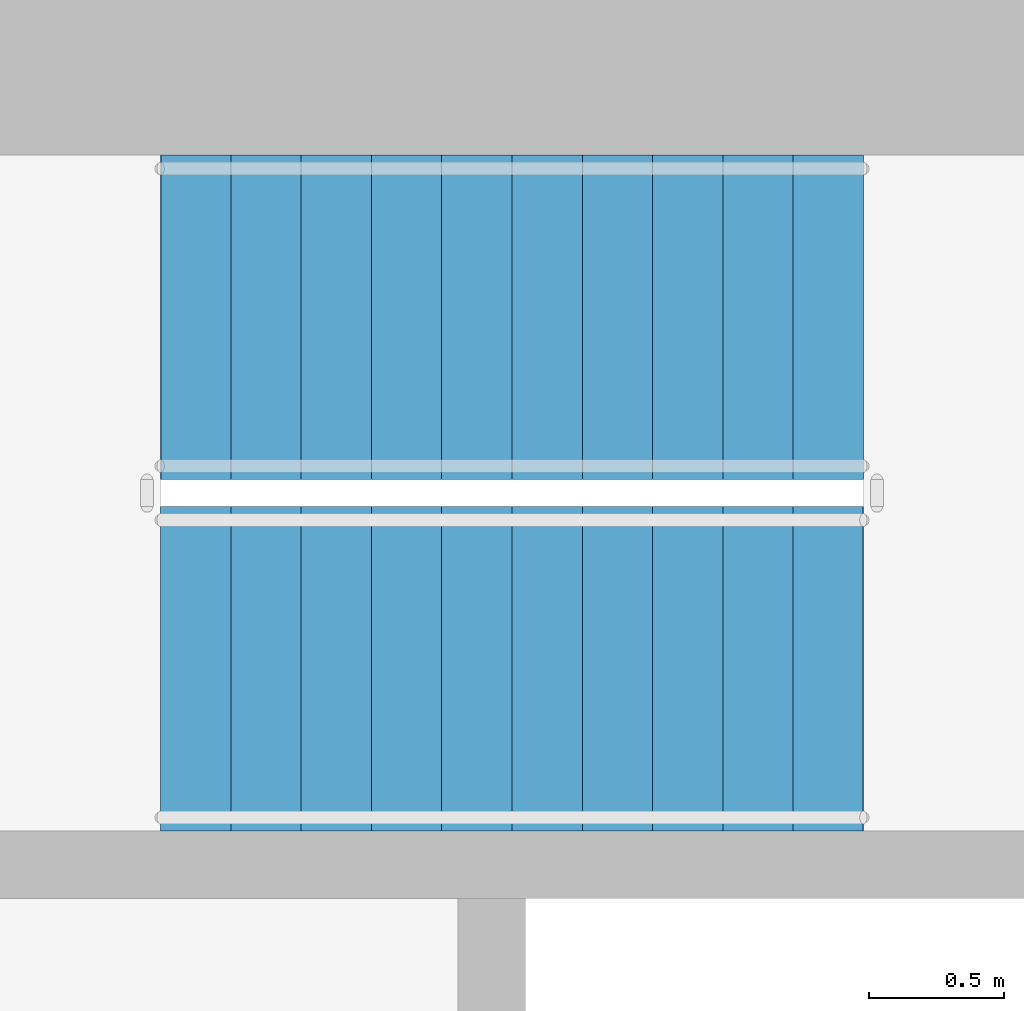
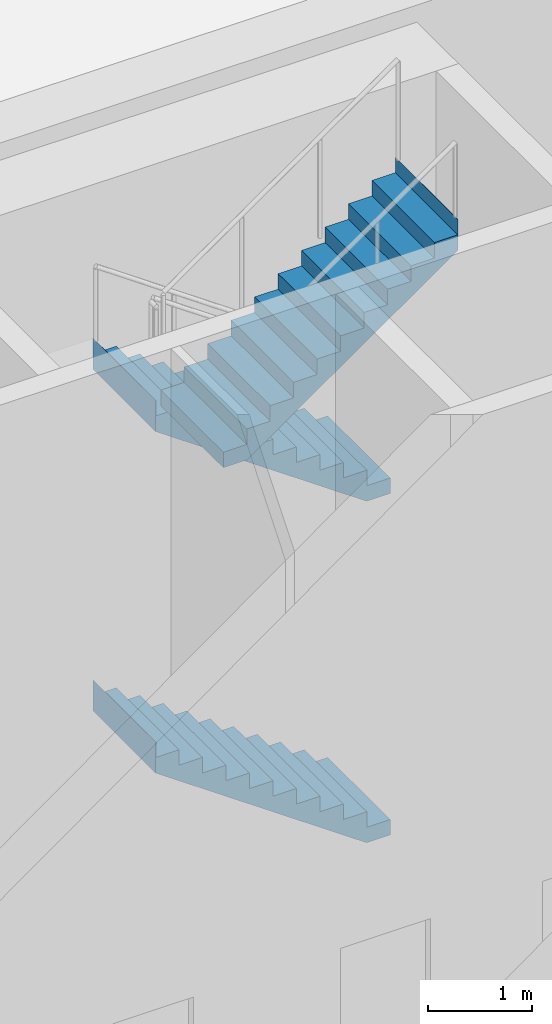
# One storey, part 28 of 36: 3 stair flights, 1 element without a shape of its own.
"""IFC4 building model written with IfcOpenShell, lengths in metres."""

from ifc_helpers import new_model, si_unit, direction, frame, origin, place, context, subcontext, project, spatial, triangles, material, type_object, element, aggregate, save


model = new_model("IFC4")

# Units and contexts
model_context = context("Model", 3, precision=1e-05, world=origin(), true_north=direction((0.0, 1.0)))
body_context = subcontext(model_context, "Body", "Model", "MODEL_VIEW")
ifc_project = project(units=[si_unit("LENGTHUNIT", "METRE"), si_unit("AREAUNIT", "SQUARE_METRE"), si_unit("VOLUMEUNIT", "CUBIC_METRE"), si_unit("PLANEANGLEUNIT", "RADIAN"), si_unit("MASSUNIT", "GRAM", prefix="KILO")], contexts=[model_context])

# Site, building, storey
site_placement = place(None, origin())
site = spatial("IfcSite", under=ifc_project, at=site_placement, CompositionType="ELEMENT")
building_placement = place(site_placement, origin())
building = spatial("IfcBuilding", under=site, at=building_placement, Name="Sahrelin Media Tower", CompositionType="ELEMENT")
storey_placement = place(building_placement, origin())
storey = spatial("IfcBuildingStorey", under=building, at=storey_placement, Name="L00", CompositionType="ELEMENT", Elevation=0.0)

# Stair, stair flights
ifc_material = material(Name="Concrete C40/50", Category="concrete")
stair_type = type_object("IfcStairType", Name="Exit stair 1200", PredefinedType="HALF_TURN_STAIR", material=ifc_material)
stair_placement = place(storey_placement, origin())
stair = element("IfcStair", 1, at=stair_placement, inside=storey, type_object=stair_type, Name="L00 Exit stair ST3", PredefinedType="HALF_TURN_STAIR")
stair_flight_type = type_object("IfcStairFlightType", Name="Stair flight 1200", PredefinedType="STRAIGHT", material=ifc_material)
stair_flight_1_placement = place(storey_placement, frame((7.675048828125, 6.0, 0.0), z_axis=(0.0, 0.0, 1.0), x_axis=(-1.0, 0.0, 0.0)))
stair_flight_1 = element("IfcStairFlight", 2, at=stair_flight_1_placement, type_object=stair_flight_type, Name="ST3 flight 1", NumberOfRisers=11, NumberOfTreads=10, PredefinedType="STRAIGHT", RiserHeight=0.181818182, TreadLength=0.26, context=body_context, shape_type="Tessellation", body=[
    triangles([(0.261474609375, 0.60009765625, 0.0), (0.261474609375, 0.300048828125, 0.0), (0.261474609375, 0.0, 0.0), (0.261474609375, -0.300048828125, 0.0), (0.261474609375, -0.60009765625, 0.0), (2.60009765625, 0.60009765625, 1.63525390625), (2.60009765625, 0.300048828125, 1.63525390625), (2.60009765625, 0.0, 1.63525390625), (2.60009765625, -0.300048828125, 1.63525390625), (2.60009765625, -0.60009765625, 1.63525390625), (2.60009765625, 0.60009765625, 2.0), (2.60009765625, 0.300048828125, 2.0), (2.60009765625, 0.0, 2.0), (2.60009765625, -0.300048828125, 2.0), (2.60009765625, -0.60009765625, 2.0), (2.597900390625, 0.60009765625, 2.0), (2.597900390625, 0.300048828125, 2.0), (2.597900390625, 0.0, 2.0), (2.597900390625, -0.300048828125, 2.0), (2.597900390625, -0.60009765625, 2.0), (2.597900390625, 0.60009765625, 1.818115234375), (2.597900390625, 0.300048828125, 1.818115234375), (2.597900390625, 0.0, 1.818115234375), (2.597900390625, -0.300048828125, 1.818115234375), (2.597900390625, -0.60009765625, 1.818115234375), (2.340087890625, 0.60009765625, 1.818115234375), (2.340087890625, 0.300048828125, 1.818115234375), (2.340087890625, 0.0, 1.818115234375), (2.340087890625, -0.300048828125, 1.818115234375), (2.340087890625, -0.60009765625, 1.818115234375), (2.340087890625, 0.60009765625, 1.636474609375), (2.340087890625, 0.300048828125, 1.636474609375), (2.340087890625, 0.0, 1.636474609375), (2.340087890625, -0.300048828125, 1.636474609375), (2.340087890625, -0.60009765625, 1.636474609375), (2.080078125, 0.60009765625, 1.636474609375), (2.080078125, 0.300048828125, 1.636474609375), (2.080078125, 0.0, 1.636474609375), (2.080078125, -0.300048828125, 1.636474609375), (2.080078125, -0.60009765625, 1.636474609375), (2.080078125, 0.60009765625, 1.45458984375), (2.080078125, 0.300048828125, 1.45458984375), (2.080078125, 0.0, 1.45458984375), (2.080078125, -0.300048828125, 1.45458984375), (2.080078125, -0.60009765625, 1.45458984375), (1.820068359375, 0.60009765625, 1.45458984375), (1.820068359375, 0.300048828125, 1.45458984375), (1.820068359375, 0.0, 1.45458984375), (1.820068359375, -0.300048828125, 1.45458984375), (1.820068359375, -0.60009765625, 1.45458984375), (1.820068359375, 0.60009765625, 1.272705078125), (1.820068359375, 0.300048828125, 1.272705078125), (1.820068359375, 0.0, 1.272705078125), (1.820068359375, -0.300048828125, 1.272705078125), (1.820068359375, -0.60009765625, 1.272705078125), (1.56005859375, 0.60009765625, 1.272705078125), (1.56005859375, 0.300048828125, 1.272705078125), (1.56005859375, 0.0, 1.272705078125), (1.56005859375, -0.300048828125, 1.272705078125), (1.56005859375, -0.60009765625, 1.272705078125), (1.56005859375, 0.60009765625, 1.0908203125), (1.56005859375, 0.300048828125, 1.0908203125), (1.56005859375, 0.0, 1.0908203125), (1.56005859375, -0.300048828125, 1.0908203125), (1.56005859375, -0.60009765625, 1.0908203125), (1.300048828125, 0.60009765625, 1.0908203125), (1.300048828125, 0.300048828125, 1.0908203125), (1.300048828125, 0.0, 1.0908203125), (1.300048828125, -0.300048828125, 1.0908203125), (1.300048828125, -0.60009765625, 1.0908203125), (1.300048828125, 0.60009765625, 0.9091796875), (1.300048828125, 0.300048828125, 0.9091796875), (1.300048828125, 0.0, 0.9091796875), (1.300048828125, -0.300048828125, 0.9091796875), (1.300048828125, -0.60009765625, 0.9091796875), (1.0400390625, 0.60009765625, 0.9091796875), (1.0400390625, 0.300048828125, 0.9091796875), (1.0400390625, 0.0, 0.9091796875), (1.0400390625, -0.300048828125, 0.9091796875), (1.0400390625, -0.60009765625, 0.9091796875), (1.0400390625, 0.60009765625, 0.727294921875), (1.0400390625, 0.300048828125, 0.727294921875), (1.0400390625, 0.0, 0.727294921875), (1.0400390625, -0.300048828125, 0.727294921875), (1.0400390625, -0.60009765625, 0.727294921875), (0.780029296875, 0.60009765625, 0.727294921875), (0.780029296875, 0.300048828125, 0.727294921875), (0.780029296875, 0.0, 0.727294921875), (0.780029296875, -0.300048828125, 0.727294921875), (0.780029296875, -0.60009765625, 0.727294921875), (0.780029296875, 0.60009765625, 0.54541015625), (0.780029296875, 0.300048828125, 0.54541015625), (0.780029296875, 0.0, 0.54541015625), (0.780029296875, -0.300048828125, 0.54541015625), (0.780029296875, -0.60009765625, 0.54541015625), (0.52001953125, 0.60009765625, 0.54541015625), (0.52001953125, 0.300048828125, 0.54541015625), (0.52001953125, 0.0, 0.54541015625), (0.52001953125, -0.300048828125, 0.54541015625), (0.52001953125, -0.60009765625, 0.54541015625), (0.52001953125, 0.60009765625, 0.363525390625), (0.52001953125, 0.300048828125, 0.363525390625), (0.52001953125, 0.0, 0.363525390625), (0.52001953125, -0.300048828125, 0.363525390625), (0.52001953125, -0.60009765625, 0.363525390625), (0.260009765625, 0.60009765625, 0.363525390625), (0.260009765625, 0.300048828125, 0.363525390625), (0.260009765625, 0.0, 0.363525390625), (0.260009765625, -0.300048828125, 0.363525390625), (0.260009765625, -0.60009765625, 0.363525390625), (0.260009765625, 0.60009765625, 0.181884765625), (0.260009765625, 0.300048828125, 0.181884765625), (0.260009765625, 0.0, 0.181884765625), (0.260009765625, -0.300048828125, 0.181884765625), (0.260009765625, -0.60009765625, 0.181884765625), (0.0, 0.60009765625, 0.181884765625), (0.0, 0.300048828125, 0.181884765625), (0.0, 0.0, 0.181884765625), (0.0, -0.300048828125, 0.181884765625), (0.0, -0.60009765625, 0.181884765625), (0.0, 0.60009765625, 0.0), (0.0, 0.300048828125, 0.0), (0.0, 0.0, 0.0), (0.0, -0.300048828125, 0.0), (0.0, -0.60009765625, 0.0)], [[1, 6, 7], [1, 7, 2], [2, 7, 8], [2, 8, 3], [3, 8, 9], [3, 9, 4], [4, 9, 10], [4, 10, 5], [6, 11, 12], [6, 12, 7], [7, 12, 13], [7, 13, 8], [8, 13, 14], [8, 14, 9], [9, 14, 15], [9, 15, 10], [11, 16, 17], [11, 17, 12], [12, 17, 18], [12, 18, 13], [13, 18, 19], [13, 19, 14], [14, 19, 20], [14, 20, 15], [16, 21, 22], [16, 22, 17], [17, 22, 23], [17, 23, 18], [18, 23, 24], [18, 24, 19], [19, 24, 25], [19, 25, 20], [21, 26, 27], [21, 27, 22], [22, 27, 28], [22, 28, 23], [23, 28, 29], [23, 29, 24], [24, 29, 30], [24, 30, 25], [26, 31, 32], [26, 32, 27], [27, 32, 33], [27, 33, 28], [28, 33, 34], [28, 34, 29], [29, 34, 35], [29, 35, 30], [31, 36, 37], [31, 37, 32], [32, 37, 38], [32, 38, 33], [33, 38, 39], [33, 39, 34], [34, 39, 40], [34, 40, 35], [36, 41, 42], [36, 42, 37], [37, 42, 43], [37, 43, 38], [38, 43, 44], [38, 44, 39], [39, 44, 45], [39, 45, 40], [41, 46, 47], [41, 47, 42], [42, 47, 48], [42, 48, 43], [43, 48, 49], [43, 49, 44], [44, 49, 50], [44, 50, 45], [46, 51, 52], [46, 52, 47], [47, 52, 53], [47, 53, 48], [48, 53, 54], [48, 54, 49], [49, 54, 55], [49, 55, 50], [51, 56, 57], [51, 57, 52], [52, 57, 58], [52, 58, 53], [53, 58, 59], [53, 59, 54], [54, 59, 60], [54, 60, 55], [56, 61, 62], [56, 62, 57], [57, 62, 63], [57, 63, 58], [58, 63, 64], [58, 64, 59], [59, 64, 65], [59, 65, 60], [61, 66, 67], [61, 67, 62], [62, 67, 68], [62, 68, 63], [63, 68, 69], [63, 69, 64], [64, 69, 70], [64, 70, 65], [66, 71, 72], [66, 72, 67], [67, 72, 73], [67, 73, 68], [68, 73, 74], [68, 74, 69], [69, 74, 75], [69, 75, 70], [71, 76, 77], [71, 77, 72], [72, 77, 78], [72, 78, 73], [73, 78, 79], [73, 79, 74], [74, 79, 80], [74, 80, 75], [76, 81, 82], [76, 82, 77], [77, 82, 83], [77, 83, 78], [78, 83, 84], [78, 84, 79], [79, 84, 85], [79, 85, 80], [81, 86, 87], [81, 87, 82], [82, 87, 88], [82, 88, 83], [83, 88, 89], [83, 89, 84], [84, 89, 90], [84, 90, 85], [86, 91, 92], [86, 92, 87], [87, 92, 93], [87, 93, 88], [88, 93, 94], [88, 94, 89], [89, 94, 95], [89, 95, 90], [91, 96, 97], [91, 97, 92], [92, 97, 98], [92, 98, 93], [93, 98, 99], [93, 99, 94], [94, 99, 100], [94, 100, 95], [96, 101, 102], [96, 102, 97], [97, 102, 103], [97, 103, 98], [98, 103, 104], [98, 104, 99], [99, 104, 105], [99, 105, 100], [101, 106, 107], [101, 107, 102], [102, 107, 108], [102, 108, 103], [103, 108, 109], [103, 109, 104], [104, 109, 110], [104, 110, 105], [106, 111, 112], [106, 112, 107], [107, 112, 113], [107, 113, 108], [108, 113, 114], [108, 114, 109], [109, 114, 115], [109, 115, 110], [111, 116, 117], [111, 117, 112], [112, 117, 118], [112, 118, 113], [113, 118, 119], [113, 119, 114], [114, 119, 120], [114, 120, 115], [116, 121, 122], [116, 122, 117], [117, 122, 123], [117, 123, 118], [118, 123, 124], [118, 124, 119], [119, 124, 125], [119, 125, 120], [121, 1, 2], [121, 2, 122], [122, 2, 3], [122, 3, 123], [123, 3, 4], [123, 4, 124], [124, 4, 5], [124, 5, 125], [115, 120, 125], [111, 121, 116], [115, 105, 110], [111, 106, 101], [105, 95, 100], [101, 96, 91], [95, 85, 90], [91, 86, 81], [85, 75, 80], [81, 76, 71], [75, 65, 70], [71, 66, 61], [65, 55, 60], [61, 56, 51], [55, 45, 50], [51, 46, 41], [45, 35, 40], [41, 36, 31], [35, 25, 30], [31, 26, 21], [25, 15, 20], [21, 16, 11], [125, 5, 115], [121, 111, 1], [25, 10, 15], [21, 11, 6], [105, 115, 5], [101, 1, 111], [35, 10, 25], [31, 21, 6], [95, 105, 5], [91, 1, 101], [45, 10, 35], [41, 31, 6], [85, 95, 5], [81, 1, 91], [55, 10, 45], [51, 41, 6], [75, 85, 5], [71, 1, 81], [65, 10, 55], [61, 51, 6], [5, 10, 75], [1, 71, 6], [75, 10, 65], [71, 61, 6]], closed=True),
])
stair_flight_2_placement = place(storey_placement, frame((7.675048828125, 6.0, 4.0), z_axis=(0.0, 0.0, 1.0), x_axis=(-1.0, 0.0, 0.0)))
stair_flight_2 = element("IfcStairFlight", 3, at=stair_flight_2_placement, type_object=stair_flight_type, Name="ST3 flight 3", NumberOfRisers=11, NumberOfTreads=10, PredefinedType="STRAIGHT", RiserHeight=0.181818182, TreadLength=0.26, context=body_context, shape_type="Tessellation", body=[
    triangles([(0.261474609375, 0.60009765625, 0.0), (0.261474609375, 0.300048828125, 0.0), (0.261474609375, 0.0, 0.0), (0.261474609375, -0.300048828125, 0.0), (0.261474609375, -0.60009765625, 0.0), (2.60009765625, 0.60009765625, 1.63525390625), (2.60009765625, 0.300048828125, 1.63525390625), (2.60009765625, 0.0, 1.63525390625), (2.60009765625, -0.300048828125, 1.63525390625), (2.60009765625, -0.60009765625, 1.63525390625), (2.60009765625, 0.60009765625, 2.0), (2.60009765625, 0.300048828125, 2.0), (2.60009765625, 0.0, 2.0), (2.60009765625, -0.300048828125, 2.0), (2.60009765625, -0.60009765625, 2.0), (2.597900390625, 0.60009765625, 2.0), (2.597900390625, 0.300048828125, 2.0), (2.597900390625, 0.0, 2.0), (2.597900390625, -0.300048828125, 2.0), (2.597900390625, -0.60009765625, 2.0), (2.597900390625, 0.60009765625, 1.818115234375), (2.597900390625, 0.300048828125, 1.818115234375), (2.597900390625, 0.0, 1.818115234375), (2.597900390625, -0.300048828125, 1.818115234375), (2.597900390625, -0.60009765625, 1.818115234375), (2.340087890625, 0.60009765625, 1.818115234375), (2.340087890625, 0.300048828125, 1.818115234375), (2.340087890625, 0.0, 1.818115234375), (2.340087890625, -0.300048828125, 1.818115234375), (2.340087890625, -0.60009765625, 1.818115234375), (2.340087890625, 0.60009765625, 1.636474609375), (2.340087890625, 0.300048828125, 1.636474609375), (2.340087890625, 0.0, 1.636474609375), (2.340087890625, -0.300048828125, 1.636474609375), (2.340087890625, -0.60009765625, 1.636474609375), (2.080078125, 0.60009765625, 1.636474609375), (2.080078125, 0.300048828125, 1.636474609375), (2.080078125, 0.0, 1.636474609375), (2.080078125, -0.300048828125, 1.636474609375), (2.080078125, -0.60009765625, 1.636474609375), (2.080078125, 0.60009765625, 1.45458984375), (2.080078125, 0.300048828125, 1.45458984375), (2.080078125, 0.0, 1.45458984375), (2.080078125, -0.300048828125, 1.45458984375), (2.080078125, -0.60009765625, 1.45458984375), (1.820068359375, 0.60009765625, 1.45458984375), (1.820068359375, 0.300048828125, 1.45458984375), (1.820068359375, 0.0, 1.45458984375), (1.820068359375, -0.300048828125, 1.45458984375), (1.820068359375, -0.60009765625, 1.45458984375), (1.820068359375, 0.60009765625, 1.272705078125), (1.820068359375, 0.300048828125, 1.272705078125), (1.820068359375, 0.0, 1.272705078125), (1.820068359375, -0.300048828125, 1.272705078125), (1.820068359375, -0.60009765625, 1.272705078125), (1.56005859375, 0.60009765625, 1.272705078125), (1.56005859375, 0.300048828125, 1.272705078125), (1.56005859375, 0.0, 1.272705078125), (1.56005859375, -0.300048828125, 1.272705078125), (1.56005859375, -0.60009765625, 1.272705078125), (1.56005859375, 0.60009765625, 1.0908203125), (1.56005859375, 0.300048828125, 1.0908203125), (1.56005859375, 0.0, 1.0908203125), (1.56005859375, -0.300048828125, 1.0908203125), (1.56005859375, -0.60009765625, 1.0908203125), (1.300048828125, 0.60009765625, 1.0908203125), (1.300048828125, 0.300048828125, 1.0908203125), (1.300048828125, 0.0, 1.0908203125), (1.300048828125, -0.300048828125, 1.0908203125), (1.300048828125, -0.60009765625, 1.0908203125), (1.300048828125, 0.60009765625, 0.9091796875), (1.300048828125, 0.300048828125, 0.9091796875), (1.300048828125, 0.0, 0.9091796875), (1.300048828125, -0.300048828125, 0.9091796875), (1.300048828125, -0.60009765625, 0.9091796875), (1.0400390625, 0.60009765625, 0.9091796875), (1.0400390625, 0.300048828125, 0.9091796875), (1.0400390625, 0.0, 0.9091796875), (1.0400390625, -0.300048828125, 0.9091796875), (1.0400390625, -0.60009765625, 0.9091796875), (1.0400390625, 0.60009765625, 0.727294921875), (1.0400390625, 0.300048828125, 0.727294921875), (1.0400390625, 0.0, 0.727294921875), (1.0400390625, -0.300048828125, 0.727294921875), (1.0400390625, -0.60009765625, 0.727294921875), (0.780029296875, 0.60009765625, 0.727294921875), (0.780029296875, 0.300048828125, 0.727294921875), (0.780029296875, 0.0, 0.727294921875), (0.780029296875, -0.300048828125, 0.727294921875), (0.780029296875, -0.60009765625, 0.727294921875), (0.780029296875, 0.60009765625, 0.54541015625), (0.780029296875, 0.300048828125, 0.54541015625), (0.780029296875, 0.0, 0.54541015625), (0.780029296875, -0.300048828125, 0.54541015625), (0.780029296875, -0.60009765625, 0.54541015625), (0.52001953125, 0.60009765625, 0.54541015625), (0.52001953125, 0.300048828125, 0.54541015625), (0.52001953125, 0.0, 0.54541015625), (0.52001953125, -0.300048828125, 0.54541015625), (0.52001953125, -0.60009765625, 0.54541015625), (0.52001953125, 0.60009765625, 0.363525390625), (0.52001953125, 0.300048828125, 0.363525390625), (0.52001953125, 0.0, 0.363525390625), (0.52001953125, -0.300048828125, 0.363525390625), (0.52001953125, -0.60009765625, 0.363525390625), (0.260009765625, 0.60009765625, 0.363525390625), (0.260009765625, 0.300048828125, 0.363525390625), (0.260009765625, 0.0, 0.363525390625), (0.260009765625, -0.300048828125, 0.363525390625), (0.260009765625, -0.60009765625, 0.363525390625), (0.260009765625, 0.60009765625, 0.181884765625), (0.260009765625, 0.300048828125, 0.181884765625), (0.260009765625, 0.0, 0.181884765625), (0.260009765625, -0.300048828125, 0.181884765625), (0.260009765625, -0.60009765625, 0.181884765625), (0.0, 0.60009765625, 0.181884765625), (0.0, 0.300048828125, 0.181884765625), (0.0, 0.0, 0.181884765625), (0.0, -0.300048828125, 0.181884765625), (0.0, -0.60009765625, 0.181884765625), (0.0, 0.60009765625, 0.0), (0.0, 0.300048828125, 0.0), (0.0, 0.0, 0.0), (0.0, -0.300048828125, 0.0), (0.0, -0.60009765625, 0.0)], [[1, 6, 7], [1, 7, 2], [2, 7, 8], [2, 8, 3], [3, 8, 9], [3, 9, 4], [4, 9, 10], [4, 10, 5], [6, 11, 12], [6, 12, 7], [7, 12, 13], [7, 13, 8], [8, 13, 14], [8, 14, 9], [9, 14, 15], [9, 15, 10], [11, 16, 17], [11, 17, 12], [12, 17, 18], [12, 18, 13], [13, 18, 19], [13, 19, 14], [14, 19, 20], [14, 20, 15], [16, 21, 22], [16, 22, 17], [17, 22, 23], [17, 23, 18], [18, 23, 24], [18, 24, 19], [19, 24, 25], [19, 25, 20], [21, 26, 27], [21, 27, 22], [22, 27, 28], [22, 28, 23], [23, 28, 29], [23, 29, 24], [24, 29, 30], [24, 30, 25], [26, 31, 32], [26, 32, 27], [27, 32, 33], [27, 33, 28], [28, 33, 34], [28, 34, 29], [29, 34, 35], [29, 35, 30], [31, 36, 37], [31, 37, 32], [32, 37, 38], [32, 38, 33], [33, 38, 39], [33, 39, 34], [34, 39, 40], [34, 40, 35], [36, 41, 42], [36, 42, 37], [37, 42, 43], [37, 43, 38], [38, 43, 44], [38, 44, 39], [39, 44, 45], [39, 45, 40], [41, 46, 47], [41, 47, 42], [42, 47, 48], [42, 48, 43], [43, 48, 49], [43, 49, 44], [44, 49, 50], [44, 50, 45], [46, 51, 52], [46, 52, 47], [47, 52, 53], [47, 53, 48], [48, 53, 54], [48, 54, 49], [49, 54, 55], [49, 55, 50], [51, 56, 57], [51, 57, 52], [52, 57, 58], [52, 58, 53], [53, 58, 59], [53, 59, 54], [54, 59, 60], [54, 60, 55], [56, 61, 62], [56, 62, 57], [57, 62, 63], [57, 63, 58], [58, 63, 64], [58, 64, 59], [59, 64, 65], [59, 65, 60], [61, 66, 67], [61, 67, 62], [62, 67, 68], [62, 68, 63], [63, 68, 69], [63, 69, 64], [64, 69, 70], [64, 70, 65], [66, 71, 72], [66, 72, 67], [67, 72, 73], [67, 73, 68], [68, 73, 74], [68, 74, 69], [69, 74, 75], [69, 75, 70], [71, 76, 77], [71, 77, 72], [72, 77, 78], [72, 78, 73], [73, 78, 79], [73, 79, 74], [74, 79, 80], [74, 80, 75], [76, 81, 82], [76, 82, 77], [77, 82, 83], [77, 83, 78], [78, 83, 84], [78, 84, 79], [79, 84, 85], [79, 85, 80], [81, 86, 87], [81, 87, 82], [82, 87, 88], [82, 88, 83], [83, 88, 89], [83, 89, 84], [84, 89, 90], [84, 90, 85], [86, 91, 92], [86, 92, 87], [87, 92, 93], [87, 93, 88], [88, 93, 94], [88, 94, 89], [89, 94, 95], [89, 95, 90], [91, 96, 97], [91, 97, 92], [92, 97, 98], [92, 98, 93], [93, 98, 99], [93, 99, 94], [94, 99, 100], [94, 100, 95], [96, 101, 102], [96, 102, 97], [97, 102, 103], [97, 103, 98], [98, 103, 104], [98, 104, 99], [99, 104, 105], [99, 105, 100], [101, 106, 107], [101, 107, 102], [102, 107, 108], [102, 108, 103], [103, 108, 109], [103, 109, 104], [104, 109, 110], [104, 110, 105], [106, 111, 112], [106, 112, 107], [107, 112, 113], [107, 113, 108], [108, 113, 114], [108, 114, 109], [109, 114, 115], [109, 115, 110], [111, 116, 117], [111, 117, 112], [112, 117, 118], [112, 118, 113], [113, 118, 119], [113, 119, 114], [114, 119, 120], [114, 120, 115], [116, 121, 122], [116, 122, 117], [117, 122, 123], [117, 123, 118], [118, 123, 124], [118, 124, 119], [119, 124, 125], [119, 125, 120], [121, 1, 2], [121, 2, 122], [122, 2, 3], [122, 3, 123], [123, 3, 4], [123, 4, 124], [124, 4, 5], [124, 5, 125], [115, 120, 125], [111, 121, 116], [115, 105, 110], [111, 106, 101], [105, 95, 100], [101, 96, 91], [95, 85, 90], [91, 86, 81], [85, 75, 80], [81, 76, 71], [75, 65, 70], [71, 66, 61], [65, 55, 60], [61, 56, 51], [55, 45, 50], [51, 46, 41], [45, 35, 40], [41, 36, 31], [35, 25, 30], [31, 26, 21], [25, 15, 20], [21, 16, 11], [125, 5, 115], [121, 111, 1], [25, 10, 15], [21, 11, 6], [105, 115, 5], [101, 1, 111], [35, 10, 25], [31, 21, 6], [95, 105, 5], [91, 1, 101], [45, 10, 35], [41, 31, 6], [85, 95, 5], [81, 1, 91], [55, 10, 45], [51, 41, 6], [75, 85, 5], [71, 1, 81], [65, 10, 55], [61, 51, 6], [5, 10, 75], [1, 71, 6], [75, 10, 65], [71, 61, 6]], closed=True),
])
stair_flight_3_placement = place(storey_placement, frame((5.074951171875, 4.699951171875, 6.0), z_axis=(0.0, 0.0, 1.0), x_axis=(1.0, 0.0, 0.0)))
stair_flight_3 = element("IfcStairFlight", 4, at=stair_flight_3_placement, type_object=stair_flight_type, Name="ST3 flight 4", NumberOfRisers=11, NumberOfTreads=10, PredefinedType="STRAIGHT", RiserHeight=0.181818182, TreadLength=0.26, context=body_context, shape_type="Tessellation", body=[
    triangles([(0.261474609375, 0.60009765625, 0.0), (0.261474609375, 0.300048828125, 0.0), (0.261474609375, 0.0, 0.0), (0.261474609375, -0.300048828125, 0.0), (0.261474609375, -0.60009765625, 0.0), (2.60009765625, 0.60009765625, 1.63525390625), (2.60009765625, 0.300048828125, 1.63525390625), (2.60009765625, 0.0, 1.63525390625), (2.60009765625, -0.300048828125, 1.63525390625), (2.60009765625, -0.60009765625, 1.63525390625), (2.60009765625, 0.60009765625, 2.0), (2.60009765625, 0.300048828125, 2.0), (2.60009765625, 0.0, 2.0), (2.60009765625, -0.300048828125, 2.0), (2.60009765625, -0.60009765625, 2.0), (2.597900390625, 0.60009765625, 2.0), (2.597900390625, 0.300048828125, 2.0), (2.597900390625, 0.0, 2.0), (2.597900390625, -0.300048828125, 2.0), (2.597900390625, -0.60009765625, 2.0), (2.597900390625, 0.60009765625, 1.818115234375), (2.597900390625, 0.300048828125, 1.818115234375), (2.597900390625, 0.0, 1.818115234375), (2.597900390625, -0.300048828125, 1.818115234375), (2.597900390625, -0.60009765625, 1.818115234375), (2.340087890625, 0.60009765625, 1.818115234375), (2.340087890625, 0.300048828125, 1.818115234375), (2.340087890625, 0.0, 1.818115234375), (2.340087890625, -0.300048828125, 1.818115234375), (2.340087890625, -0.60009765625, 1.818115234375), (2.340087890625, 0.60009765625, 1.636474609375), (2.340087890625, 0.300048828125, 1.636474609375), (2.340087890625, 0.0, 1.636474609375), (2.340087890625, -0.300048828125, 1.636474609375), (2.340087890625, -0.60009765625, 1.636474609375), (2.080078125, 0.60009765625, 1.636474609375), (2.080078125, 0.300048828125, 1.636474609375), (2.080078125, 0.0, 1.636474609375), (2.080078125, -0.300048828125, 1.636474609375), (2.080078125, -0.60009765625, 1.636474609375), (2.080078125, 0.60009765625, 1.45458984375), (2.080078125, 0.300048828125, 1.45458984375), (2.080078125, 0.0, 1.45458984375), (2.080078125, -0.300048828125, 1.45458984375), (2.080078125, -0.60009765625, 1.45458984375), (1.820068359375, 0.60009765625, 1.45458984375), (1.820068359375, 0.300048828125, 1.45458984375), (1.820068359375, 0.0, 1.45458984375), (1.820068359375, -0.300048828125, 1.45458984375), (1.820068359375, -0.60009765625, 1.45458984375), (1.820068359375, 0.60009765625, 1.272705078125), (1.820068359375, 0.300048828125, 1.272705078125), (1.820068359375, 0.0, 1.272705078125), (1.820068359375, -0.300048828125, 1.272705078125), (1.820068359375, -0.60009765625, 1.272705078125), (1.56005859375, 0.60009765625, 1.272705078125), (1.56005859375, 0.300048828125, 1.272705078125), (1.56005859375, 0.0, 1.272705078125), (1.56005859375, -0.300048828125, 1.272705078125), (1.56005859375, -0.60009765625, 1.272705078125), (1.56005859375, 0.60009765625, 1.0908203125), (1.56005859375, 0.300048828125, 1.0908203125), (1.56005859375, 0.0, 1.0908203125), (1.56005859375, -0.300048828125, 1.0908203125), (1.56005859375, -0.60009765625, 1.0908203125), (1.300048828125, 0.60009765625, 1.0908203125), (1.300048828125, 0.300048828125, 1.0908203125), (1.300048828125, 0.0, 1.0908203125), (1.300048828125, -0.300048828125, 1.0908203125), (1.300048828125, -0.60009765625, 1.0908203125), (1.300048828125, 0.60009765625, 0.9091796875), (1.300048828125, 0.300048828125, 0.9091796875), (1.300048828125, 0.0, 0.9091796875), (1.300048828125, -0.300048828125, 0.9091796875), (1.300048828125, -0.60009765625, 0.9091796875), (1.0400390625, 0.60009765625, 0.9091796875), (1.0400390625, 0.300048828125, 0.9091796875), (1.0400390625, 0.0, 0.9091796875), (1.0400390625, -0.300048828125, 0.9091796875), (1.0400390625, -0.60009765625, 0.9091796875), (1.0400390625, 0.60009765625, 0.727294921875), (1.0400390625, 0.300048828125, 0.727294921875), (1.0400390625, 0.0, 0.727294921875), (1.0400390625, -0.300048828125, 0.727294921875), (1.0400390625, -0.60009765625, 0.727294921875), (0.780029296875, 0.60009765625, 0.727294921875), (0.780029296875, 0.300048828125, 0.727294921875), (0.780029296875, 0.0, 0.727294921875), (0.780029296875, -0.300048828125, 0.727294921875), (0.780029296875, -0.60009765625, 0.727294921875), (0.780029296875, 0.60009765625, 0.54541015625), (0.780029296875, 0.300048828125, 0.54541015625), (0.780029296875, 0.0, 0.54541015625), (0.780029296875, -0.300048828125, 0.54541015625), (0.780029296875, -0.60009765625, 0.54541015625), (0.52001953125, 0.60009765625, 0.54541015625), (0.52001953125, 0.300048828125, 0.54541015625), (0.52001953125, 0.0, 0.54541015625), (0.52001953125, -0.300048828125, 0.54541015625), (0.52001953125, -0.60009765625, 0.54541015625), (0.52001953125, 0.60009765625, 0.363525390625), (0.52001953125, 0.300048828125, 0.363525390625), (0.52001953125, 0.0, 0.363525390625), (0.52001953125, -0.300048828125, 0.363525390625), (0.52001953125, -0.60009765625, 0.363525390625), (0.260009765625, 0.60009765625, 0.363525390625), (0.260009765625, 0.300048828125, 0.363525390625), (0.260009765625, 0.0, 0.363525390625), (0.260009765625, -0.300048828125, 0.363525390625), (0.260009765625, -0.60009765625, 0.363525390625), (0.260009765625, 0.60009765625, 0.181884765625), (0.260009765625, 0.300048828125, 0.181884765625), (0.260009765625, 0.0, 0.181884765625), (0.260009765625, -0.300048828125, 0.181884765625), (0.260009765625, -0.60009765625, 0.181884765625), (0.0, 0.60009765625, 0.181884765625), (0.0, 0.300048828125, 0.181884765625), (0.0, 0.0, 0.181884765625), (0.0, -0.300048828125, 0.181884765625), (0.0, -0.60009765625, 0.181884765625), (0.0, 0.60009765625, 0.0), (0.0, 0.300048828125, 0.0), (0.0, 0.0, 0.0), (0.0, -0.300048828125, 0.0), (0.0, -0.60009765625, 0.0)], [[1, 6, 7], [1, 7, 2], [2, 7, 8], [2, 8, 3], [3, 8, 9], [3, 9, 4], [4, 9, 10], [4, 10, 5], [6, 11, 12], [6, 12, 7], [7, 12, 13], [7, 13, 8], [8, 13, 14], [8, 14, 9], [9, 14, 15], [9, 15, 10], [11, 16, 17], [11, 17, 12], [12, 17, 18], [12, 18, 13], [13, 18, 19], [13, 19, 14], [14, 19, 20], [14, 20, 15], [16, 21, 22], [16, 22, 17], [17, 22, 23], [17, 23, 18], [18, 23, 24], [18, 24, 19], [19, 24, 25], [19, 25, 20], [21, 26, 27], [21, 27, 22], [22, 27, 28], [22, 28, 23], [23, 28, 29], [23, 29, 24], [24, 29, 30], [24, 30, 25], [26, 31, 32], [26, 32, 27], [27, 32, 33], [27, 33, 28], [28, 33, 34], [28, 34, 29], [29, 34, 35], [29, 35, 30], [31, 36, 37], [31, 37, 32], [32, 37, 38], [32, 38, 33], [33, 38, 39], [33, 39, 34], [34, 39, 40], [34, 40, 35], [36, 41, 42], [36, 42, 37], [37, 42, 43], [37, 43, 38], [38, 43, 44], [38, 44, 39], [39, 44, 45], [39, 45, 40], [41, 46, 47], [41, 47, 42], [42, 47, 48], [42, 48, 43], [43, 48, 49], [43, 49, 44], [44, 49, 50], [44, 50, 45], [46, 51, 52], [46, 52, 47], [47, 52, 53], [47, 53, 48], [48, 53, 54], [48, 54, 49], [49, 54, 55], [49, 55, 50], [51, 56, 57], [51, 57, 52], [52, 57, 58], [52, 58, 53], [53, 58, 59], [53, 59, 54], [54, 59, 60], [54, 60, 55], [56, 61, 62], [56, 62, 57], [57, 62, 63], [57, 63, 58], [58, 63, 64], [58, 64, 59], [59, 64, 65], [59, 65, 60], [61, 66, 67], [61, 67, 62], [62, 67, 68], [62, 68, 63], [63, 68, 69], [63, 69, 64], [64, 69, 70], [64, 70, 65], [66, 71, 72], [66, 72, 67], [67, 72, 73], [67, 73, 68], [68, 73, 74], [68, 74, 69], [69, 74, 75], [69, 75, 70], [71, 76, 77], [71, 77, 72], [72, 77, 78], [72, 78, 73], [73, 78, 79], [73, 79, 74], [74, 79, 80], [74, 80, 75], [76, 81, 82], [76, 82, 77], [77, 82, 83], [77, 83, 78], [78, 83, 84], [78, 84, 79], [79, 84, 85], [79, 85, 80], [81, 86, 87], [81, 87, 82], [82, 87, 88], [82, 88, 83], [83, 88, 89], [83, 89, 84], [84, 89, 90], [84, 90, 85], [86, 91, 92], [86, 92, 87], [87, 92, 93], [87, 93, 88], [88, 93, 94], [88, 94, 89], [89, 94, 95], [89, 95, 90], [91, 96, 97], [91, 97, 92], [92, 97, 98], [92, 98, 93], [93, 98, 99], [93, 99, 94], [94, 99, 100], [94, 100, 95], [96, 101, 102], [96, 102, 97], [97, 102, 103], [97, 103, 98], [98, 103, 104], [98, 104, 99], [99, 104, 105], [99, 105, 100], [101, 106, 107], [101, 107, 102], [102, 107, 108], [102, 108, 103], [103, 108, 109], [103, 109, 104], [104, 109, 110], [104, 110, 105], [106, 111, 112], [106, 112, 107], [107, 112, 113], [107, 113, 108], [108, 113, 114], [108, 114, 109], [109, 114, 115], [109, 115, 110], [111, 116, 117], [111, 117, 112], [112, 117, 118], [112, 118, 113], [113, 118, 119], [113, 119, 114], [114, 119, 120], [114, 120, 115], [116, 121, 122], [116, 122, 117], [117, 122, 123], [117, 123, 118], [118, 123, 124], [118, 124, 119], [119, 124, 125], [119, 125, 120], [121, 1, 2], [121, 2, 122], [122, 2, 3], [122, 3, 123], [123, 3, 4], [123, 4, 124], [124, 4, 5], [124, 5, 125], [115, 120, 125], [111, 121, 116], [115, 105, 110], [111, 106, 101], [105, 95, 100], [101, 96, 91], [95, 85, 90], [91, 86, 81], [85, 75, 80], [81, 76, 71], [75, 65, 70], [71, 66, 61], [65, 55, 60], [61, 56, 51], [55, 45, 50], [51, 46, 41], [45, 35, 40], [41, 36, 31], [35, 25, 30], [31, 26, 21], [25, 15, 20], [21, 16, 11], [125, 5, 115], [121, 111, 1], [25, 10, 15], [21, 11, 6], [105, 115, 5], [101, 1, 111], [35, 10, 25], [31, 21, 6], [95, 105, 5], [91, 1, 101], [45, 10, 35], [41, 31, 6], [85, 95, 5], [81, 1, 91], [55, 10, 45], [51, 41, 6], [75, 85, 5], [71, 1, 81], [65, 10, 55], [61, 51, 6], [5, 10, 75], [1, 71, 6], [75, 10, 65], [71, 61, 6]], closed=True),
])
aggregate(stair, [stair_flight_1, stair_flight_2, stair_flight_3])

save(model, "model.ifc")
